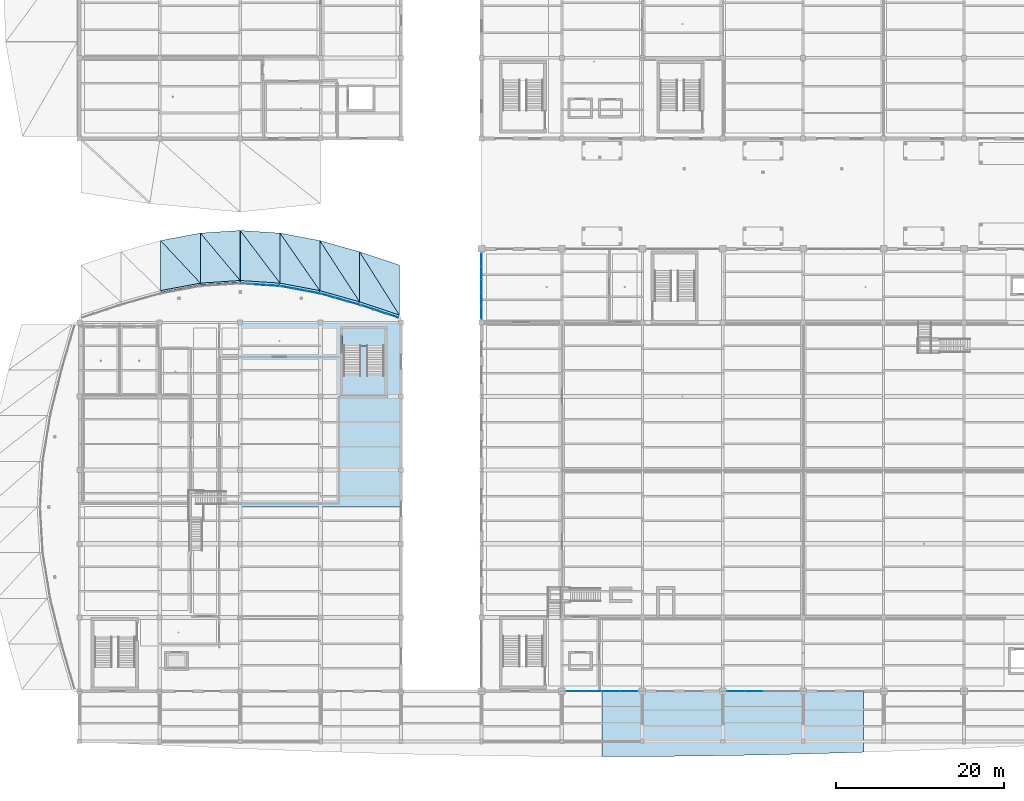
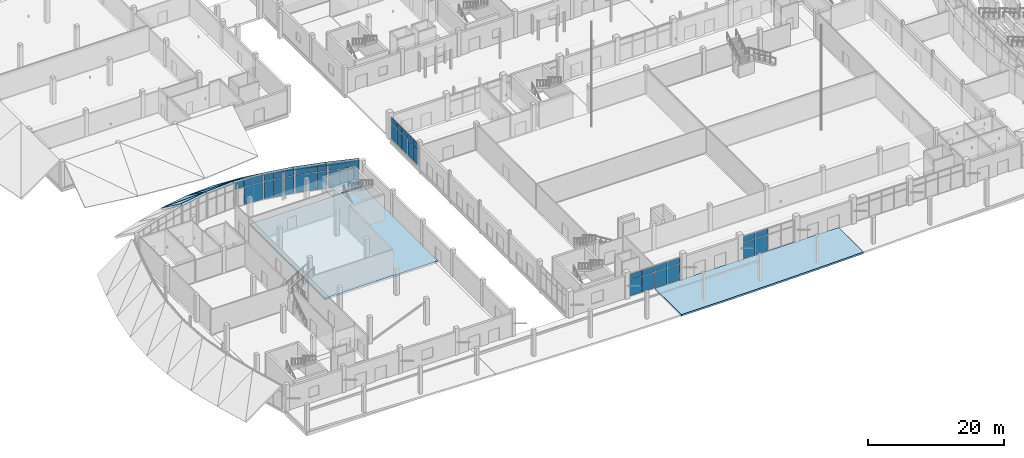
# One storey, part 66 of 116: 45 plates, 15 slabs, 8 elements without a shape of their own.
"""IFC4 building model written with IfcOpenShell, lengths in metres."""

from ifc_helpers import new_model, si_unit, direction, frame, origin, origin_2d, place, context, subcontext, project, spatial, polyline, rectangle, outline, extrude, material, layer, layer_set, type_object, element, aggregate, save


model = new_model("IFC4")

# Units and contexts
model_context = context("Model", 3, precision=1e-05, world=origin(), true_north=direction((0.0, 1.0)))
body_context = subcontext(model_context, "Body", "Model", "MODEL_VIEW")
ifc_project = project(units=[si_unit("LENGTHUNIT", "METRE"), si_unit("AREAUNIT", "SQUARE_METRE"), si_unit("VOLUMEUNIT", "CUBIC_METRE"), si_unit("PLANEANGLEUNIT", "RADIAN"), si_unit("MASSUNIT", "GRAM", prefix="KILO")], contexts=[model_context])

# Site, building, storey
site_placement = place(None, origin())
site = spatial("IfcSite", under=ifc_project, at=site_placement, CompositionType="ELEMENT")
building_placement = place(site_placement, origin())
building = spatial("IfcBuilding", under=site, at=building_placement, Name="Chalmorin Arch Market", CompositionType="ELEMENT")
storey_placement = place(building_placement, origin())
storey = spatial("IfcBuildingStorey", under=building, at=storey_placement, Name="L00", CompositionType="ELEMENT", Elevation=0.0)

# Slabs
ifc_material_1 = material(Name="Concrete C40/50", Category="concrete")
ifc_layer_1 = layer(ifc_material_1, 0.340087890625)
ifc_layer_set_1 = layer_set([ifc_layer_1], Name="Concrete C40/50")
slab_type_1 = type_object("IfcSlabType", Name="GreenMoundDeckSlab-340", PredefinedType="FLOOR", material=ifc_layer_set_1)
slab_1_placement = place(storey_placement, frame((14.449951171875, 54.717041015625, 4.580078125), z_axis=(-0.110862152267, 0.589648451207, 0.800015179346), x_axis=(0.0, 0.804977225698, -0.593305710496)))
element("IfcSlab", 1, at=slab_1_placement, inside=storey, type_object=slab_type_1, Name="ETS-340-700", PredefinedType="FLOOR", context=body_context, shape_type="SweptSolid", body=[
    extrude(outline(polyline([(0.0, 0.0), (7.416322490299924, 5.551115123125783e-17), (6.697424372232513, 4.779461591205795), (0.0, 0.0)])), origin(), (0.0, 0.0, -1.0), 0.340087890625),
])
slab_2_placement = place(storey_placement, frame((9.699951171875, 53.823974609375, 4.580078125), z_axis=(-0.110862152267, 0.589648451207, 0.800015179346), x_axis=(0.982780570588, 0.184776486802, 0.0)))
element("IfcSlab", 2, at=slab_2_placement, inside=storey, type_object=slab_type_1, Name="ETS-340-701", PredefinedType="FLOOR", context=body_context, shape_type="SweptSolid", body=[
    extrude(outline(polyline([(0.0, 0.0), (4.833225383320365, 1.1102230246251565e-16), (1.1031102128316022, 7.333824864180703), (0.0, 0.0)])), origin(), (0.0, 0.0, -1.0), 0.340087890625),
])
slab_3_placement = place(storey_placement, frame((19.199951171875, 55.030029296875, 4.580078125), z_axis=(-0.03906441904, 0.592852836844, 0.804362781965), x_axis=(0.0, 0.804977225698, -0.593305710496)))
element("IfcSlab", 3, at=slab_3_placement, inside=storey, type_object=slab_type_1, Name="ETS-340-702", PredefinedType="FLOOR", context=body_context, shape_type="SweptSolid", body=[
    extrude(outline(polyline([(0.0, 0.0), (7.416322490299924, -2.7755575615628914e-17), (7.164374051983243, 4.753628471875943), (0.0, 0.0)])), origin(), (0.0, 0.0, -1.0), 0.340087890625),
])
slab_4_placement = place(storey_placement, frame((14.449951171875, 54.717041015625, 4.580078125), z_axis=(-0.03906441904, 0.592852836844, 0.804362781965), x_axis=(0.997836148095, 0.065749688623, 0.0)))
element("IfcSlab", 4, at=slab_4_placement, inside=storey, type_object=slab_type_1, Name="ETS-340-703", PredefinedType="FLOOR", context=body_context, shape_type="SweptSolid", body=[
    extrude(outline(polyline([(0.0, 0.0), (4.760300585488256, 0.0), (0.39252371482173876, 7.405927653807524), (0.0, 0.0)])), origin(), (0.0, 0.0, -1.0), 0.340087890625),
])
slab_5_placement = place(storey_placement, frame((23.949951171875, 54.717041015625, 4.580078125), z_axis=(0.03906441904, 0.592852836844, 0.804362781965), x_axis=(0.0, 0.804977225698, -0.593305710496)))
element("IfcSlab", 5, at=slab_5_placement, inside=storey, type_object=slab_type_1, Name="ETS-340-704", PredefinedType="FLOOR", context=body_context, shape_type="SweptSolid", body=[
    extrude(outline(polyline([(0.0, 0.0), (7.416322490299924, 2.7755575615628914e-17), (7.6682709286166055, 4.753628471875942), (0.0, 0.0)])), origin(), (0.0, 0.0, -1.0), 0.340087890625),
])
slab_6_placement = place(storey_placement, frame((19.199951171875, 55.030029296875, 4.580078125), z_axis=(0.03906441904, 0.592852836844, 0.804362781965), x_axis=(0.997836148095, -0.065749688623, 0.0)))
element("IfcSlab", 6, at=slab_6_placement, inside=storey, type_object=slab_type_1, Name="ETS-340-705", PredefinedType="FLOOR", context=body_context, shape_type="SweptSolid", body=[
    extrude(outline(polyline([(0.0, 0.0), (4.760300585488256, 0.0), (-0.39252371482173876, 7.405927653807524), (0.0, 0.0)])), origin(), (0.0, 0.0, -1.0), 0.340087890625),
])
slab_7_placement = place(storey_placement, frame((28.699951171875, 53.823974609375, 4.580078125), z_axis=(0.110862152267, 0.589648451207, 0.800015179346), x_axis=(0.0, 0.804977225698, -0.593305710496)))
element("IfcSlab", 7, at=slab_7_placement, inside=storey, type_object=slab_type_1, Name="ETS-340-706", PredefinedType="FLOOR", context=body_context, shape_type="SweptSolid", body=[
    extrude(outline(polyline([(0.0, 0.0), (7.416322490299924, -5.551115123125783e-17), (8.135220608367336, 4.779461591205794), (0.0, 0.0)])), origin(), (0.0, 0.0, -1.0), 0.340087890625),
])
slab_8_placement = place(storey_placement, frame((23.949951171875, 54.717041015625, 4.580078125), z_axis=(0.110862152267, 0.589648451207, 0.800015179346), x_axis=(0.982780570588, -0.184776486802, 0.0)))
element("IfcSlab", 8, at=slab_8_placement, inside=storey, type_object=slab_type_1, Name="ETS-340-707", PredefinedType="FLOOR", context=body_context, shape_type="SweptSolid", body=[
    extrude(outline(polyline([(0.0, 0.0), (4.833225383320365, -1.1102230246251565e-16), (-1.1031102128316022, 7.333824864180703), (0.0, 0.0)])), origin(), (0.0, 0.0, -1.0), 0.340087890625),
])
slab_9_placement = place(storey_placement, frame((33.449951171875, 52.485107421875, 4.580078125), z_axis=(0.164942603247, 0.585179301382, 0.793951587232), x_axis=(0.0, 0.804977225698, -0.593305710496)))
element("IfcSlab", 9, at=slab_9_placement, inside=storey, type_object=slab_type_1, Name="ETS-340-708", PredefinedType="FLOOR", context=body_context, shape_type="SweptSolid", body=[
    extrude(outline(polyline([(0.0, 0.0), (7.416322490299924, 0.0), (8.494080084472063, 4.815963446078929), (0.0, 0.0)])), origin(), (0.0, 0.0, -1.0), 0.340087890625),
])
slab_10_placement = place(storey_placement, frame((28.699951171875, 53.823974609375, 4.580078125), z_axis=(0.164942603247, 0.585179301382, 0.793951587232), x_axis=(0.962496059256, -0.271295661439, 0.0)))
element("IfcSlab", 10, at=slab_10_placement, inside=storey, type_object=slab_type_1, Name="ETS-340-709", PredefinedType="FLOOR", context=body_context, shape_type="SweptSolid", body=[
    extrude(outline(polyline([(0.0, 0.0), (4.935085140680368, 0.0), (-1.6196271506773692, 7.237309387674206), (0.0, 0.0)])), origin(), (0.0, 0.0, -1.0), 0.340087890625),
])
slab_11_placement = place(storey_placement, frame((38.199951171875, 50.89892578125, 4.580078125), z_axis=(0.194346686637, 0.581993094537, 0.789628648989), x_axis=(0.0, 0.804977225698, -0.593305710496)))
element("IfcSlab", 11, at=slab_11_placement, inside=storey, type_object=slab_type_1, Name="ETS-340-710", PredefinedType="FLOOR", context=body_context, shape_type="SweptSolid", body=[
    extrude(outline(polyline([(0.0, 0.0), (7.416322490299924, 1.1102230246251565e-16), (8.6931625868237, 4.842329146698412), (0.0, 0.0)])), origin(), (0.0, 0.0, -1.0), 0.340087890625),
])
slab_12_placement = place(storey_placement, frame((33.449951171875, 52.485107421875, 4.580078125), z_axis=(0.194346686637, 0.581993094537, 0.789628648989), x_axis=(0.948512529095, -0.316739612537, 0.0)))
element("IfcSlab", 12, at=slab_12_placement, inside=storey, type_object=slab_type_1, Name="ETS-340-711", PredefinedType="FLOOR", context=body_context, shape_type="SweptSolid", body=[
    extrude(outline(polyline([(0.0, 0.0), (5.00784107146541, -2.220446049250313e-16), (-1.8909262073676425, 7.171208918893571), (0.0, 0.0)])), origin(), (0.0, 0.0, -1.0), 0.340087890625),
])
ifc_layer_2 = layer(ifc_material_1, 0.300048828125)
ifc_layer_set_2 = layer_set([ifc_layer_2], Name="Concrete C40/50")
slab_type_2 = type_object("IfcSlabType", Name="OutdoorPlazaBaseSlab-300", PredefinedType="BASESLAB", material=ifc_layer_set_2)
slab_13_placement = place(storey_placement, frame((0.0, 0.0, -0.300048828125)))
element("IfcSlab", 13, at=slab_13_placement, inside=storey, type_object=slab_type_2, Name="EBS-300-054", PredefinedType="BASESLAB", context=body_context, shape_type="SweptSolid", body=[
    extrude(outline(polyline([(62.409912109375, -1.800048828125), (66.30810546875, -1.791015625), (70.205078125, -1.764892578125), (74.10205078125, -1.721923828125), (78.0, -1.6630859375), (81.89794921875, -1.587890625), (85.794921875, -1.4970703125), (89.69189453125, -1.39208984375), (93.590087890625, -1.27294921875), (93.590087890625, 5.97998046875), (62.409912109375, 5.97998046875), (62.409912109375, -1.800048828125)])), origin(), (0.0, 0.0, 1.0), 0.300048828125),
])
ifc_layer_3 = layer(ifc_material_1, 0.35009765625)
ifc_layer_set_3 = layer_set([ifc_layer_3], Name="Concrete C40/50")
slab_type_3 = type_object("IfcSlabType", Name="PlinthGroundSlab-350", PredefinedType="BASESLAB", material=ifc_layer_set_3)
slab_14_placement = place(storey_placement, frame((0.0, 0.0, -0.35009765625)))
element("IfcSlab", 14, at=slab_14_placement, inside=storey, type_object=slab_type_3, Name="BS-350-036", PredefinedType="BASESLAB", context=body_context, shape_type="SweptSolid", body=[
    extrude(outline(polyline([(19.2099609375, 28.010009765625), (38.389892578125, 28.010009765625), (38.389892578125, 50.0), (19.2099609375, 50.0), (19.2099609375, 28.010009765625)])), origin(), (0.0, 0.0, 1.0), 0.35009765625),
])

# Curtain wall, plates
ifc_material_2 = material(Name="Aluminium 6063-T6", Category="aluminium")
ifc_layer_4 = layer(ifc_material_2, 0.159912109375)
ifc_layer_set_4 = layer_set([ifc_layer_4], Name="Aluminium 6063-T6")
curtain_wall_type_1 = type_object("IfcCurtainWallType", Name="RiverfrontStorefrontCurtainWall-CW2-8580x4080", PredefinedType="NOTDEFINED", material=ifc_layer_set_4)
curtain_wall_1_placement = place(storey_placement, origin())
curtain_wall_1 = element("IfcCurtainWall", 15, at=curtain_wall_1_placement, inside=storey, type_object=curtain_wall_type_1, Name="CW-02-003", PredefinedType="NOTDEFINED")
ifc_material_3 = material(Name="Powder-coated Aluminium Panel", Category="aluminium")
ifc_layer_5 = layer(ifc_material_3, 0.0400390625)
ifc_layer_set_5 = layer_set([ifc_layer_5], Name="Powder-coated Aluminium Panel")
plate_type_1 = type_object("IfcPlateType", Name="ShadowboxSpandrelPanel-40", PredefinedType="CURTAIN_PANEL", material=ifc_layer_set_5)
plate_1_placement = place(storey_placement, frame((59.1826171875, 6.0, 2.979736328125), z_axis=(0.0, 0.0, 1.0), x_axis=(1.0, 0.0, 0.0)))
plate_1 = element("IfcPlate", 16, at=plate_1_placement, type_object=plate_type_1, Name="SP-40-003-01B", PredefinedType="CURTAIN_PANEL", context=body_context, shape_type="SweptSolid", body=[
    extrude(rectangle(XDim=2.06494140625, YDim=0.0400390625, at=origin_2d()), origin(), (0.0, 0.0, 1.0), 1.0263671875),
])
plate_2_placement = place(storey_placement, frame((61.327392578125, 6.0, 2.979736328125), z_axis=(0.0, 0.0, 1.0), x_axis=(1.0, 0.0, 0.0)))
plate_2 = element("IfcPlate", 17, at=plate_2_placement, type_object=plate_type_1, Name="SP-40-003-02B", PredefinedType="CURTAIN_PANEL", context=body_context, shape_type="SweptSolid", body=[
    extrude(rectangle(XDim=2.06494140625, YDim=0.0400390625, at=origin_2d()), origin(), (0.0, 0.0, 1.0), 1.0263671875),
])
plate_3_placement = place(storey_placement, frame((63.472412109375, 6.0, 2.979736328125), z_axis=(0.0, 0.0, 1.0), x_axis=(1.0, 0.0, 0.0)))
plate_3 = element("IfcPlate", 18, at=plate_3_placement, type_object=plate_type_1, Name="SP-40-003-03B", PredefinedType="CURTAIN_PANEL", context=body_context, shape_type="SweptSolid", body=[
    extrude(rectangle(XDim=2.06494140625, YDim=0.0400390625, at=origin_2d()), origin(), (0.0, 0.0, 1.0), 1.0263671875),
])
plate_4_placement = place(storey_placement, frame((65.617431640625, 6.0, 2.979736328125), z_axis=(0.0, 0.0, 1.0), x_axis=(1.0, 0.0, 0.0)))
plate_4 = element("IfcPlate", 19, at=plate_4_placement, type_object=plate_type_1, Name="SP-40-003-04B", PredefinedType="CURTAIN_PANEL", context=body_context, shape_type="SweptSolid", body=[
    extrude(rectangle(XDim=2.06494140625, YDim=0.0400390625, at=origin_2d()), origin(), (0.0, 0.0, 1.0), 1.0263671875),
])

curtain_wall_2_placement = place(storey_placement, origin())
curtain_wall_2 = element("IfcCurtainWall", 20, at=curtain_wall_2_placement, inside=storey, type_object=curtain_wall_type_1, Name="CW-02-010", PredefinedType="NOTDEFINED")
plate_5_placement = place(storey_placement, frame((78.382568359375, 6.0, 2.979736328125), z_axis=(0.0, 0.0, 1.0), x_axis=(1.0, 0.0, 0.0)))
plate_5 = element("IfcPlate", 21, at=plate_5_placement, type_object=plate_type_1, Name="SP-40-010-01B", PredefinedType="CURTAIN_PANEL", context=body_context, shape_type="SweptSolid", body=[
    extrude(rectangle(XDim=2.06494140625, YDim=0.0400390625, at=origin_2d()), origin(), (0.0, 0.0, 1.0), 1.0263671875),
])
plate_6_placement = place(storey_placement, frame((80.527587890625, 6.0, 2.979736328125), z_axis=(0.0, 0.0, 1.0), x_axis=(1.0, 0.0, 0.0)))
plate_6 = element("IfcPlate", 22, at=plate_6_placement, type_object=plate_type_1, Name="SP-40-010-02B", PredefinedType="CURTAIN_PANEL", context=body_context, shape_type="SweptSolid", body=[
    extrude(rectangle(XDim=2.06494140625, YDim=0.0400390625, at=origin_2d()), origin(), (0.0, 0.0, 1.0), 1.0263671875),
])

ifc_layer_6 = layer(ifc_material_2, 0.159912109375)
ifc_layer_set_6 = layer_set([ifc_layer_6], Name="Aluminium 6063-T6")
curtain_wall_type_2 = type_object("IfcCurtainWallType", Name="GableTympanumCurtainWall-CW4-7880x4080", PredefinedType="NOTDEFINED", material=ifc_layer_set_6)
curtain_wall_3_placement = place(storey_placement, origin())
curtain_wall_3 = element("IfcCurtainWall", 23, at=curtain_wall_3_placement, inside=storey, type_object=curtain_wall_type_2, Name="CW-04-034", PredefinedType="NOTDEFINED")
plate_7_placement = place(storey_placement, frame((48.0, 51.197998046875, 2.979736328125), z_axis=(0.0, 0.0, 1.0), x_axis=(0.0, 1.0, 0.0)))
plate_7 = element("IfcPlate", 24, at=plate_7_placement, type_object=plate_type_1, Name="SP-40-034-01B", PredefinedType="CURTAIN_PANEL", context=body_context, shape_type="SweptSolid", body=[
    extrude(rectangle(XDim=1.49609375, YDim=0.0400390625, at=origin_2d()), origin(), (0.0, 0.0, 1.0), 1.0263671875),
])
plate_8_placement = place(storey_placement, frame((48.0, 52.77392578125, 2.979736328125), z_axis=(0.0, 0.0, 1.0), x_axis=(0.0, 1.0, 0.0)))
plate_8 = element("IfcPlate", 25, at=plate_8_placement, type_object=plate_type_1, Name="SP-40-034-02B", PredefinedType="CURTAIN_PANEL", context=body_context, shape_type="SweptSolid", body=[
    extrude(rectangle(XDim=1.49609375, YDim=0.0400390625, at=origin_2d()), origin(), (0.0, 0.0, 1.0), 1.0263671875),
])
plate_9_placement = place(storey_placement, frame((48.0, 54.35009765625, 2.979736328125), z_axis=(0.0, 0.0, 1.0), x_axis=(0.0, 1.0, 0.0)))
plate_9 = element("IfcPlate", 26, at=plate_9_placement, type_object=plate_type_1, Name="SP-40-034-03B", PredefinedType="CURTAIN_PANEL", context=body_context, shape_type="SweptSolid", body=[
    extrude(rectangle(XDim=1.49609375, YDim=0.0400390625, at=origin_2d()), origin(), (0.0, 0.0, 1.0), 1.0263671875),
])
plate_10_placement = place(storey_placement, frame((48.0, 55.926025390625, 2.979736328125), z_axis=(0.0, 0.0, 1.0), x_axis=(0.0, 1.0, 0.0)))
plate_10 = element("IfcPlate", 27, at=plate_10_placement, type_object=plate_type_1, Name="SP-40-034-04B", PredefinedType="CURTAIN_PANEL", context=body_context, shape_type="SweptSolid", body=[
    extrude(rectangle(XDim=1.49609375, YDim=0.0400390625, at=origin_2d()), origin(), (0.0, 0.0, 1.0), 1.0263671875),
])
plate_11_placement = place(storey_placement, frame((48.0, 57.501953125, 2.979736328125), z_axis=(0.0, 0.0, 1.0), x_axis=(0.0, 1.0, 0.0)))
plate_11 = element("IfcPlate", 28, at=plate_11_placement, type_object=plate_type_1, Name="SP-40-034-05B", PredefinedType="CURTAIN_PANEL", context=body_context, shape_type="SweptSolid", body=[
    extrude(rectangle(XDim=1.49609375, YDim=0.0400390625, at=origin_2d()), origin(), (0.0, 0.0, 1.0), 1.0263671875),
])

ifc_layer_7 = layer(ifc_material_2, 0.159912109375)
ifc_layer_set_7 = layer_set([ifc_layer_7], Name="Aluminium 6063-T6")
curtain_wall_type_3 = type_object("IfcCurtainWallType", Name="RiverfrontStorefrontCurtainWall-CW2-4630x4520", PredefinedType="NOTDEFINED", material=ifc_layer_set_7)
curtain_wall_4_placement = place(storey_placement, origin())
curtain_wall_4 = element("IfcCurtainWall", 29, at=curtain_wall_4_placement, inside=storey, type_object=curtain_wall_type_3, Name="CW-02-081", PredefinedType="NOTDEFINED")
plate_12_placement = place(storey_placement, frame((20.059814453125, 54.622802734375, 3.29931640625), z_axis=(0.0, 0.0, 1.0), x_axis=(0.99756405026, -0.069756473744, 0.0)))
plate_12 = element("IfcPlate", 30, at=plate_12_placement, type_object=plate_type_1, Name="SP-40-081-01B", PredefinedType="CURTAIN_PANEL", context=body_context, shape_type="SweptSolid", body=[
    extrude(rectangle(XDim=1.463623046875, YDim=0.0400390625, at=origin_2d()), origin(), (0.0, 0.0, 1.0), 1.150634765625),
])
plate_13_placement = place(storey_placement, frame((21.60009765625, 54.52001953125, 3.29931640625), z_axis=(0.0, 0.0, 1.0), x_axis=(0.99756405026, -0.069756473744, 0.0)))
plate_13 = element("IfcPlate", 31, at=plate_13_placement, type_object=plate_type_1, Name="SP-40-081-02B", PredefinedType="CURTAIN_PANEL", context=body_context, shape_type="SweptSolid", body=[
    extrude(rectangle(XDim=1.463623046875, YDim=0.0400390625, at=origin_2d()), origin(), (0.0, 0.0, 1.0), 1.150634765625),
])
plate_14_placement = place(storey_placement, frame((23.14013671875, 54.417236328125, 3.29931640625), z_axis=(0.0, 0.0, 1.0), x_axis=(0.99756405026, -0.069756473744, 0.0)))
plate_14 = element("IfcPlate", 32, at=plate_14_placement, type_object=plate_type_1, Name="SP-40-081-03B", PredefinedType="CURTAIN_PANEL", context=body_context, shape_type="SweptSolid", body=[
    extrude(rectangle(XDim=1.463623046875, YDim=0.0400390625, at=origin_2d()), origin(), (0.0, 0.0, 1.0), 1.150634765625),
])

ifc_layer_8 = layer(ifc_material_2, 0.159912109375)
ifc_layer_set_8 = layer_set([ifc_layer_8], Name="Aluminium 6063-T6")
curtain_wall_type_4 = type_object("IfcCurtainWallType", Name="RiverfrontStorefrontCurtainWall-CW2-4710x4520", PredefinedType="NOTDEFINED", material=ifc_layer_set_8)
curtain_wall_5_placement = place(storey_placement, origin())
curtain_wall_5 = element("IfcCurtainWall", 33, at=curtain_wall_5_placement, inside=storey, type_object=curtain_wall_type_4, Name="CW-02-084", PredefinedType="NOTDEFINED")
plate_15_placement = place(storey_placement, frame((24.85888671875, 54.197021484375, 3.29931640625), z_axis=(0.0, 0.0, 1.0), x_axis=(0.981627183448, -0.190808995377, 0.0)))
plate_15 = element("IfcPlate", 34, at=plate_15_placement, type_object=plate_type_1, Name="SP-40-084-01B", PredefinedType="CURTAIN_PANEL", context=body_context, shape_type="SweptSolid", body=[
    extrude(rectangle(XDim=1.488525390625, YDim=0.0400390625, at=origin_2d()), origin(), (0.0, 0.0, 1.0), 1.150634765625),
])
plate_16_placement = place(storey_placement, frame((26.39990234375, 53.905029296875, 3.29931640625), z_axis=(0.0, 0.0, 1.0), x_axis=(0.981627183448, -0.190808995377, 0.0)))
plate_16 = element("IfcPlate", 35, at=plate_16_placement, type_object=plate_type_1, Name="SP-40-084-02B", PredefinedType="CURTAIN_PANEL", context=body_context, shape_type="SweptSolid", body=[
    extrude(rectangle(XDim=1.488525390625, YDim=0.0400390625, at=origin_2d()), origin(), (0.0, 0.0, 1.0), 1.150634765625),
])
plate_17_placement = place(storey_placement, frame((27.941162109375, 53.61279296875, 3.29931640625), z_axis=(0.0, 0.0, 1.0), x_axis=(0.981627183448, -0.190808995377, 0.0)))
plate_17 = element("IfcPlate", 36, at=plate_17_placement, type_object=plate_type_1, Name="SP-40-084-03B", PredefinedType="CURTAIN_PANEL", context=body_context, shape_type="SweptSolid", body=[
    extrude(rectangle(XDim=1.488525390625, YDim=0.0400390625, at=origin_2d()), origin(), (0.0, 0.0, 1.0), 1.150634765625),
])

ifc_layer_9 = layer(ifc_material_2, 0.159912109375)
ifc_layer_set_9 = layer_set([ifc_layer_9], Name="Aluminium 6063-T6")
curtain_wall_type_5 = type_object("IfcCurtainWallType", Name="RiverfrontStorefrontCurtainWall-CW2-4810x4520", PredefinedType="NOTDEFINED", material=ifc_layer_set_9)
curtain_wall_6_placement = place(storey_placement, origin())
curtain_wall_6 = element("IfcCurtainWall", 37, at=curtain_wall_6_placement, inside=storey, type_object=curtain_wall_type_5, Name="CW-02-087", PredefinedType="NOTDEFINED")
plate_18_placement = place(storey_placement, frame((29.65771484375, 53.206298828125, 3.29931640625), z_axis=(0.0, 0.0, 1.0), x_axis=(0.961261695938, -0.275637355817, 0.0)))
plate_18 = element("IfcPlate", 38, at=plate_18_placement, type_object=plate_type_1, Name="SP-40-087-01B", PredefinedType="CURTAIN_PANEL", context=body_context, shape_type="SweptSolid", body=[
    extrude(rectangle(XDim=1.523193359375, YDim=0.0400390625, at=origin_2d()), origin(), (0.0, 0.0, 1.0), 1.150634765625),
])
plate_19_placement = place(storey_placement, frame((31.199951171875, 52.7685546875, 3.29931640625), z_axis=(0.0, 0.0, 1.0), x_axis=(0.961261695938, -0.275637355817, 0.0)))
plate_19 = element("IfcPlate", 39, at=plate_19_placement, type_object=plate_type_1, Name="SP-40-087-02B", PredefinedType="CURTAIN_PANEL", context=body_context, shape_type="SweptSolid", body=[
    extrude(rectangle(XDim=1.523193359375, YDim=0.0400390625, at=origin_2d()), origin(), (0.0, 0.0, 1.0), 1.150634765625),
])
plate_20_placement = place(storey_placement, frame((32.7421875, 52.33056640625, 3.29931640625), z_axis=(0.0, 0.0, 1.0), x_axis=(0.961261695938, -0.275637355817, 0.0)))
plate_20 = element("IfcPlate", 40, at=plate_20_placement, type_object=plate_type_1, Name="SP-40-087-03B", PredefinedType="CURTAIN_PANEL", context=body_context, shape_type="SweptSolid", body=[
    extrude(rectangle(XDim=1.523193359375, YDim=0.0400390625, at=origin_2d()), origin(), (0.0, 0.0, 1.0), 1.150634765625),
])

curtain_wall_7_placement = place(storey_placement, origin())
curtain_wall_7 = element("IfcCurtainWall", 41, at=curtain_wall_7_placement, inside=storey, type_object=curtain_wall_type_3, Name="CW-02-090", PredefinedType="NOTDEFINED")
plate_21_placement = place(storey_placement, frame((34.417724609375, 51.813232421875, 3.29931640625), z_axis=(0.0, 0.0, 1.0), x_axis=(0.945518575599, -0.325568154457, 0.0)))
plate_21 = element("IfcPlate", 42, at=plate_21_placement, type_object=plate_type_1, Name="SP-40-090-01B", PredefinedType="CURTAIN_PANEL", context=body_context, shape_type="SweptSolid", body=[
    extrude(rectangle(XDim=1.46484375, YDim=0.0400390625, at=origin_2d()), origin(), (0.0, 0.0, 1.0), 1.150634765625),
])
plate_22_placement = place(storey_placement, frame((35.8828125, 51.32275390625, 3.29931640625), z_axis=(0.0, 0.0, 1.0), x_axis=(0.945518575599, -0.325568154457, 0.0)))
plate_22 = element("IfcPlate", 43, at=plate_22_placement, type_object=plate_type_1, Name="SP-40-090-02B", PredefinedType="CURTAIN_PANEL", context=body_context, shape_type="SweptSolid", body=[
    extrude(rectangle(XDim=1.46484375, YDim=0.0400390625, at=origin_2d()), origin(), (0.0, 0.0, 1.0), 1.150634765625),
])
plate_23_placement = place(storey_placement, frame((37.34765625, 50.832275390625, 3.29931640625), z_axis=(0.0, 0.0, 1.0), x_axis=(0.945518575599, -0.325568154457, 0.0)))
plate_23 = element("IfcPlate", 44, at=plate_23_placement, type_object=plate_type_1, Name="SP-40-090-03B", PredefinedType="CURTAIN_PANEL", context=body_context, shape_type="SweptSolid", body=[
    extrude(rectangle(XDim=1.46484375, YDim=0.0400390625, at=origin_2d()), origin(), (0.0, 0.0, 1.0), 1.150634765625),
])

# Stair, slab
stair_type = type_object("IfcStairType", Name="DoglegExitStair-28R-SC2", PredefinedType="HALF_TURN_STAIR", material=ifc_material_1)
stair_placement = place(storey_placement, origin())
stair = element("IfcStair", 45, at=stair_placement, inside=storey, type_object=stair_type, Name="ST-03", PredefinedType="HALF_TURN_STAIR")
ifc_layer_10 = layer(ifc_material_1, 0.18505859375)
ifc_layer_set_10 = layer_set([ifc_layer_10], Name="Concrete C40/50")
slab_type_4 = type_object("IfcSlabType", Name="StairLandingSlab-185", PredefinedType="LANDING", material=ifc_layer_set_10)
slab_15_placement = place(storey_placement, frame((0.0, 0.0, 2.215087890625)))
slab_15 = element("IfcSlab", 46, at=slab_15_placement, type_object=slab_type_4, Name="LS-003", PredefinedType="LANDING", context=body_context, shape_type="SweptSolid", body=[
    extrude(outline(polyline([(31.419921875, 47.2099609375), (36.47998046875, 47.2099609375), (36.47998046875, 49.280029296875), (31.419921875, 49.280029296875), (31.419921875, 47.2099609375)])), origin(), (0.0, 0.0, 1.0), 0.184814453125),
])
aggregate(stair, [slab_15])

# Plate
ifc_material_4 = material(Name="Low-E Tempered Glass", Category="glass")
ifc_layer_11 = layer(ifc_material_4, 0.028076171875)
ifc_layer_set_11 = layer_set([ifc_layer_11], Name="Low-E Tempered Glass")
plate_type_2 = type_object("IfcPlateType", Name="VisionIGUPanel-28", PredefinedType="CURTAIN_PANEL", material=ifc_layer_set_11)
plate_24_placement = place(storey_placement, frame((59.1826171875, 6.0, 0.06982421875), z_axis=(0.0, 0.0, 1.0), x_axis=(1.0, 0.0, 0.0)))
plate_24 = element("IfcPlate", 47, at=plate_24_placement, type_object=plate_type_2, Name="GL-28-003-01A", PredefinedType="CURTAIN_PANEL", context=body_context, shape_type="SweptSolid", body=[
    extrude(rectangle(XDim=2.06494140625, YDim=0.028076171875, at=origin_2d()), origin(), (0.0, 0.0, 1.0), 2.819580078125),
])

plate_25_placement = place(storey_placement, frame((61.327392578125, 6.0, 0.06982421875), z_axis=(0.0, 0.0, 1.0), x_axis=(1.0, 0.0, 0.0)))
plate_25 = element("IfcPlate", 48, at=plate_25_placement, type_object=plate_type_2, Name="GL-28-003-02A", PredefinedType="CURTAIN_PANEL", context=body_context, shape_type="SweptSolid", body=[
    extrude(rectangle(XDim=2.06494140625, YDim=0.028076171875, at=origin_2d()), origin(), (0.0, 0.0, 1.0), 2.819580078125),
])

plate_26_placement = place(storey_placement, frame((63.472412109375, 6.0, 0.06982421875), z_axis=(0.0, 0.0, 1.0), x_axis=(1.0, 0.0, 0.0)))
plate_26 = element("IfcPlate", 49, at=plate_26_placement, type_object=plate_type_2, Name="GL-28-003-03A", PredefinedType="CURTAIN_PANEL", context=body_context, shape_type="SweptSolid", body=[
    extrude(rectangle(XDim=2.06494140625, YDim=0.028076171875, at=origin_2d()), origin(), (0.0, 0.0, 1.0), 2.819580078125),
])

plate_27_placement = place(storey_placement, frame((65.617431640625, 6.0, 0.06982421875), z_axis=(0.0, 0.0, 1.0), x_axis=(1.0, 0.0, 0.0)))
plate_27 = element("IfcPlate", 50, at=plate_27_placement, type_object=plate_type_2, Name="GL-28-003-04A", PredefinedType="CURTAIN_PANEL", context=body_context, shape_type="SweptSolid", body=[
    extrude(rectangle(XDim=2.06494140625, YDim=0.028076171875, at=origin_2d()), origin(), (0.0, 0.0, 1.0), 2.819580078125),
])

aggregate(curtain_wall_1, [plate_24, plate_1, plate_25, plate_2, plate_26, plate_3, plate_27, plate_4])

plate_28_placement = place(storey_placement, frame((78.382568359375, 6.0, 0.06982421875), z_axis=(0.0, 0.0, 1.0), x_axis=(1.0, 0.0, 0.0)))
plate_28 = element("IfcPlate", 51, at=plate_28_placement, type_object=plate_type_2, Name="GL-28-010-01A", PredefinedType="CURTAIN_PANEL", context=body_context, shape_type="SweptSolid", body=[
    extrude(rectangle(XDim=2.06494140625, YDim=0.028076171875, at=origin_2d()), origin(), (0.0, 0.0, 1.0), 2.819580078125),
])

plate_29_placement = place(storey_placement, frame((80.527587890625, 6.0, 0.06982421875), z_axis=(0.0, 0.0, 1.0), x_axis=(1.0, 0.0, 0.0)))
plate_29 = element("IfcPlate", 52, at=plate_29_placement, type_object=plate_type_2, Name="GL-28-010-02A", PredefinedType="CURTAIN_PANEL", context=body_context, shape_type="SweptSolid", body=[
    extrude(rectangle(XDim=2.06494140625, YDim=0.028076171875, at=origin_2d()), origin(), (0.0, 0.0, 1.0), 2.819580078125),
])

aggregate(curtain_wall_2, [plate_28, plate_5, plate_29, plate_6])

plate_30_placement = place(storey_placement, frame((48.0, 51.197998046875, 0.06982421875), z_axis=(0.0, 0.0, 1.0), x_axis=(0.0, 1.0, 0.0)))
plate_30 = element("IfcPlate", 53, at=plate_30_placement, type_object=plate_type_2, Name="GL-28-034-01A", PredefinedType="CURTAIN_PANEL", context=body_context, shape_type="SweptSolid", body=[
    extrude(rectangle(XDim=1.49609375, YDim=0.028076171875, at=origin_2d()), origin(), (0.0, 0.0, 1.0), 2.819580078125),
])

plate_31_placement = place(storey_placement, frame((48.0, 52.77392578125, 0.06982421875), z_axis=(0.0, 0.0, 1.0), x_axis=(0.0, 1.0, 0.0)))
plate_31 = element("IfcPlate", 54, at=plate_31_placement, type_object=plate_type_2, Name="GL-28-034-02A", PredefinedType="CURTAIN_PANEL", context=body_context, shape_type="SweptSolid", body=[
    extrude(rectangle(XDim=1.49609375, YDim=0.028076171875, at=origin_2d()), origin(), (0.0, 0.0, 1.0), 2.819580078125),
])

plate_32_placement = place(storey_placement, frame((48.0, 54.35009765625, 0.06982421875), z_axis=(0.0, 0.0, 1.0), x_axis=(0.0, 1.0, 0.0)))
plate_32 = element("IfcPlate", 55, at=plate_32_placement, type_object=plate_type_2, Name="GL-28-034-03A", PredefinedType="CURTAIN_PANEL", context=body_context, shape_type="SweptSolid", body=[
    extrude(rectangle(XDim=1.49609375, YDim=0.028076171875, at=origin_2d()), origin(), (0.0, 0.0, 1.0), 2.819580078125),
])

plate_33_placement = place(storey_placement, frame((48.0, 55.926025390625, 0.06982421875), z_axis=(0.0, 0.0, 1.0), x_axis=(0.0, 1.0, 0.0)))
plate_33 = element("IfcPlate", 56, at=plate_33_placement, type_object=plate_type_2, Name="GL-28-034-04A", PredefinedType="CURTAIN_PANEL", context=body_context, shape_type="SweptSolid", body=[
    extrude(rectangle(XDim=1.49609375, YDim=0.028076171875, at=origin_2d()), origin(), (0.0, 0.0, 1.0), 2.819580078125),
])

plate_34_placement = place(storey_placement, frame((48.0, 57.501953125, 0.06982421875), z_axis=(0.0, 0.0, 1.0), x_axis=(0.0, 1.0, 0.0)))
plate_34 = element("IfcPlate", 57, at=plate_34_placement, type_object=plate_type_2, Name="GL-28-034-05A", PredefinedType="CURTAIN_PANEL", context=body_context, shape_type="SweptSolid", body=[
    extrude(rectangle(XDim=1.49609375, YDim=0.028076171875, at=origin_2d()), origin(), (0.0, 0.0, 1.0), 2.819580078125),
])

aggregate(curtain_wall_3, [plate_30, plate_7, plate_31, plate_8, plate_32, plate_9, plate_33, plate_10, plate_34, plate_11])

plate_35_placement = place(storey_placement, frame((21.60009765625, 54.52001953125, 0.06982421875), z_axis=(0.0, 0.0, 1.0), x_axis=(0.99756405026, -0.069756473744, 0.0)))
plate_35 = element("IfcPlate", 58, at=plate_35_placement, type_object=plate_type_2, Name="GL-28-081-02A", PredefinedType="CURTAIN_PANEL", context=body_context, shape_type="SweptSolid", body=[
    extrude(rectangle(XDim=1.463623046875, YDim=0.028076171875, at=origin_2d()), origin(), (0.0, 0.0, 1.0), 3.139404296875),
])

plate_36_placement = place(storey_placement, frame((23.14013671875, 54.417236328125, 0.06982421875), z_axis=(0.0, 0.0, 1.0), x_axis=(0.99756405026, -0.069756473744, 0.0)))
plate_36 = element("IfcPlate", 59, at=plate_36_placement, type_object=plate_type_2, Name="GL-28-081-03A", PredefinedType="CURTAIN_PANEL", context=body_context, shape_type="SweptSolid", body=[
    extrude(rectangle(XDim=1.463623046875, YDim=0.028076171875, at=origin_2d()), origin(), (0.0, 0.0, 1.0), 3.139404296875),
])

aggregate(curtain_wall_4, [plate_12, plate_35, plate_13, plate_36, plate_14])

plate_37_placement = place(storey_placement, frame((24.85888671875, 54.197021484375, 0.06982421875), z_axis=(0.0, 0.0, 1.0), x_axis=(0.981627183448, -0.190808995377, 0.0)))
plate_37 = element("IfcPlate", 60, at=plate_37_placement, type_object=plate_type_2, Name="GL-28-084-01A", PredefinedType="CURTAIN_PANEL", context=body_context, shape_type="SweptSolid", body=[
    extrude(rectangle(XDim=1.488525390625, YDim=0.028076171875, at=origin_2d()), origin(), (0.0, 0.0, 1.0), 3.139404296875),
])

plate_38_placement = place(storey_placement, frame((26.39990234375, 53.905029296875, 0.06982421875), z_axis=(0.0, 0.0, 1.0), x_axis=(0.981627183448, -0.190808995377, 0.0)))
plate_38 = element("IfcPlate", 61, at=plate_38_placement, type_object=plate_type_2, Name="GL-28-084-02A", PredefinedType="CURTAIN_PANEL", context=body_context, shape_type="SweptSolid", body=[
    extrude(rectangle(XDim=1.488525390625, YDim=0.028076171875, at=origin_2d()), origin(), (0.0, 0.0, 1.0), 3.139404296875),
])

plate_39_placement = place(storey_placement, frame((27.941162109375, 53.61279296875, 0.06982421875), z_axis=(0.0, 0.0, 1.0), x_axis=(0.981627183448, -0.190808995377, 0.0)))
plate_39 = element("IfcPlate", 62, at=plate_39_placement, type_object=plate_type_2, Name="GL-28-084-03A", PredefinedType="CURTAIN_PANEL", context=body_context, shape_type="SweptSolid", body=[
    extrude(rectangle(XDim=1.488525390625, YDim=0.028076171875, at=origin_2d()), origin(), (0.0, 0.0, 1.0), 3.139404296875),
])

aggregate(curtain_wall_5, [plate_37, plate_15, plate_38, plate_16, plate_39, plate_17])

plate_40_placement = place(storey_placement, frame((29.65771484375, 53.206298828125, 0.06982421875), z_axis=(0.0, 0.0, 1.0), x_axis=(0.961261695938, -0.275637355817, 0.0)))
plate_40 = element("IfcPlate", 63, at=plate_40_placement, type_object=plate_type_2, Name="GL-28-087-01A", PredefinedType="CURTAIN_PANEL", context=body_context, shape_type="SweptSolid", body=[
    extrude(rectangle(XDim=1.523193359375, YDim=0.028076171875, at=origin_2d()), origin(), (0.0, 0.0, 1.0), 3.139404296875),
])

plate_41_placement = place(storey_placement, frame((31.199951171875, 52.7685546875, 0.06982421875), z_axis=(0.0, 0.0, 1.0), x_axis=(0.961261695938, -0.275637355817, 0.0)))
plate_41 = element("IfcPlate", 64, at=plate_41_placement, type_object=plate_type_2, Name="GL-28-087-02A", PredefinedType="CURTAIN_PANEL", context=body_context, shape_type="SweptSolid", body=[
    extrude(rectangle(XDim=1.523193359375, YDim=0.028076171875, at=origin_2d()), origin(), (0.0, 0.0, 1.0), 3.139404296875),
])

plate_42_placement = place(storey_placement, frame((32.7421875, 52.33056640625, 0.06982421875), z_axis=(0.0, 0.0, 1.0), x_axis=(0.961261695938, -0.275637355817, 0.0)))
plate_42 = element("IfcPlate", 65, at=plate_42_placement, type_object=plate_type_2, Name="GL-28-087-03A", PredefinedType="CURTAIN_PANEL", context=body_context, shape_type="SweptSolid", body=[
    extrude(rectangle(XDim=1.523193359375, YDim=0.028076171875, at=origin_2d()), origin(), (0.0, 0.0, 1.0), 3.139404296875),
])

aggregate(curtain_wall_6, [plate_40, plate_18, plate_41, plate_19, plate_42, plate_20])

plate_43_placement = place(storey_placement, frame((34.417724609375, 51.813232421875, 0.06982421875), z_axis=(0.0, 0.0, 1.0), x_axis=(0.945518575599, -0.325568154457, 0.0)))
plate_43 = element("IfcPlate", 66, at=plate_43_placement, type_object=plate_type_2, Name="GL-28-090-01A", PredefinedType="CURTAIN_PANEL", context=body_context, shape_type="SweptSolid", body=[
    extrude(rectangle(XDim=1.46484375, YDim=0.028076171875, at=origin_2d()), origin(), (0.0, 0.0, 1.0), 3.139404296875),
])

plate_44_placement = place(storey_placement, frame((35.8828125, 51.32275390625, 0.06982421875), z_axis=(0.0, 0.0, 1.0), x_axis=(0.945518575599, -0.325568154457, 0.0)))
plate_44 = element("IfcPlate", 67, at=plate_44_placement, type_object=plate_type_2, Name="GL-28-090-02A", PredefinedType="CURTAIN_PANEL", context=body_context, shape_type="SweptSolid", body=[
    extrude(rectangle(XDim=1.46484375, YDim=0.028076171875, at=origin_2d()), origin(), (0.0, 0.0, 1.0), 3.139404296875),
])

plate_45_placement = place(storey_placement, frame((37.34765625, 50.832275390625, 0.06982421875), z_axis=(0.0, 0.0, 1.0), x_axis=(0.945518575599, -0.325568154457, 0.0)))
plate_45 = element("IfcPlate", 68, at=plate_45_placement, type_object=plate_type_2, Name="GL-28-090-03A", PredefinedType="CURTAIN_PANEL", context=body_context, shape_type="SweptSolid", body=[
    extrude(rectangle(XDim=1.46484375, YDim=0.028076171875, at=origin_2d()), origin(), (0.0, 0.0, 1.0), 3.139404296875),
])

aggregate(curtain_wall_7, [plate_43, plate_21, plate_44, plate_22, plate_45, plate_23])

save(model, "model.ifc")
